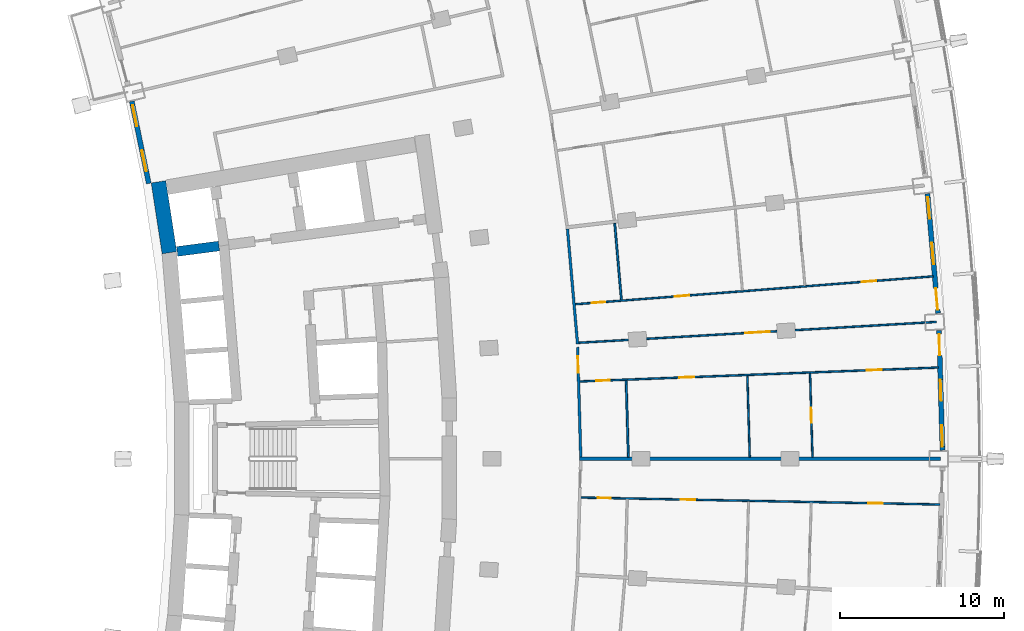
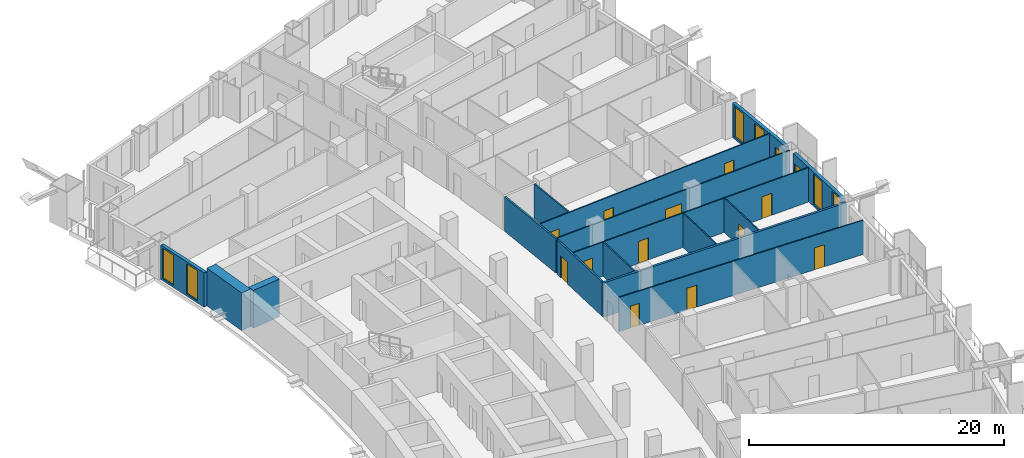
# One storey, part 15 of 22: 16 walls, 14 doors, 6 windows, 20 openings.
"""IFC4 building model written with IfcOpenShell, lengths in metres."""

from ifc_helpers import new_model, si_unit, direction, frame, frame_2d, origin, place, context, subcontext, project, spatial, rectangle, extrude, material, layer, layer_set, type_object, element, fill, save


model = new_model("IFC4")

# Units and contexts
model_context = context("Model", 3, precision=1e-05, world=origin(), true_north=direction((0.0, 1.0)))
body_context = subcontext(model_context, "Body", "Model", "MODEL_VIEW")
ifc_project = project(units=[si_unit("LENGTHUNIT", "METRE"), si_unit("AREAUNIT", "SQUARE_METRE"), si_unit("VOLUMEUNIT", "CUBIC_METRE"), si_unit("PLANEANGLEUNIT", "RADIAN"), si_unit("MASSUNIT", "GRAM", prefix="KILO")], contexts=[model_context])

# Site, building, storey
site_placement = place(None, origin())
site = spatial("IfcSite", under=ifc_project, at=site_placement, CompositionType="ELEMENT")
building_placement = place(site_placement, origin())
building = spatial("IfcBuilding", under=site, at=building_placement, Name="Alderwake Tower", CompositionType="ELEMENT")
storey_placement = place(building_placement, frame((0.0, 0.0, 50.0)))
storey = spatial("IfcBuildingStorey", under=building, at=storey_placement, Name="L11", CompositionType="ELEMENT", Elevation=50.0)

# Walls
ifc_material_1 = material(Name="Concrete C70/85", Category="concrete")
ifc_layer_1 = layer(ifc_material_1, 0.89990234375)
ifc_layer_set_1 = layer_set([ifc_layer_1], Name="Core wall outer 900 C70-85")
wall_type_1 = type_object("IfcWallType", Name="Core wall outer 900 C70-85", PredefinedType="SHEAR", material=ifc_layer_set_1)
wall_1_placement = place(storey_placement, frame((16.1337890625, 73.557373046875, 0.0), z_axis=(0.0, 0.0, 1.0), x_axis=(-0.151956504286, 0.988387181627, 0.0)))
element("IfcWall", 1, at=wall_1_placement, inside=storey, type_object=wall_type_1, Name="Core wall CW.039", PredefinedType="SHEAR", context=body_context, shape_type="SweptSolid", body=[
    extrude(rectangle(XDim=4.373291015625, YDim=0.89990234375, at=frame_2d((2.1865234375, 0.0))), origin(), (0.0, 0.0, 1.0), 3.60009765625),
])
ifc_material_2 = material(Name="Concrete C70/85", Category="concrete")
ifc_layer_2 = layer(ifc_material_2, 0.60009765625)
ifc_layer_set_2 = layer_set([ifc_layer_2], Name="Core wall spine 600 C70-85")
wall_type_2 = type_object("IfcWallType", Name="Core wall spine 600 C70-85", PredefinedType="SHEAR", material=ifc_layer_set_2)
wall_2_placement = place(storey_placement, frame((16.607666015625, 73.635498046875, 0.0), z_axis=(0.0, 0.0, 1.0), x_axis=(0.991551057449, 0.129717001478, 0.0)))
element("IfcWall", 2, at=wall_2_placement, inside=storey, type_object=wall_type_2, Name="Core wall CW.051", PredefinedType="SHEAR", context=body_context, shape_type="SweptSolid", body=[
    extrude(rectangle(XDim=2.569091796875, YDim=0.60009765625, at=frame_2d((1.28466796875, 0.0))), origin(), (0.0, 0.0, 1.0), 3.60009765625),
])
ifc_material_3 = material(Name="Gypsum board on metal studs, rated")
ifc_layer_3 = layer(ifc_material_3, 0.159912109375)
ifc_layer_set_3 = layer_set([ifc_layer_3], Name="Corridor wall 160")
wall_type_3 = type_object("IfcWallType", Name="Corridor wall 160", PredefinedType="PARTITIONING", material=ifc_layer_set_3)
wall_3_placement = place(storey_placement, frame((41.001953125, 67.9873046875, 0.0), z_axis=(0.0, 0.0, 1.0), x_axis=(-0.087430787456, 0.996170596537, 0.0)))
element("IfcWall", 3, at=wall_3_placement, inside=storey, type_object=wall_type_3, Name="WL/L11/W38", PredefinedType="PARTITIONING", context=body_context, shape_type="SweptSolid", body=[
    extrude(rectangle(XDim=7.048095703125, YDim=0.159912109375, at=frame_2d((3.52392578125, 0.0))), origin(), (0.0, 0.0, 1.0), 3.280029296875),
])

# Wall, opening, door
wall_4_placement = place(storey_placement, frame((41.002685546875, 67.80029296875, 0.0), z_axis=(0.0, 0.0, 1.0), x_axis=(0.0288425569, -0.999583966914, 0.0)))
wall_4 = element("IfcWall", 4, at=wall_4_placement, inside=storey, type_object=wall_type_3, Name="WL/L11/W39", PredefinedType="PARTITIONING", context=body_context, shape_type="SweptSolid", body=[
    extrude(rectangle(XDim=6.703857421875, YDim=0.159912109375, at=frame_2d((3.35205078125, 0.0))), origin(), (0.0, 0.0, 1.0), 3.280029296875),
])
opening_1_placement = place(wall_4_placement, frame((0.54541015625, 0.0, 0.0)))
opening_1 = element("IfcOpeningElement", 5, at=opening_1_placement, cuts=wall_4, Name="Opening R02-U08.3", PredefinedType="OPENING", context=body_context, shape_type="SweptSolid", body=[
    extrude(rectangle(XDim=1.0, YDim=2.10009765625, at=frame_2d((0.5, 1.050048828125))), frame((0.0, 0.08984375, 0.0), z_axis=(0.0, -1.0, 0.0), x_axis=(1.0, 0.0, 0.0)), (0.0, 0.0, 1.0), 0.179931640625),
])
ifc_material_4 = material(Name="Solid timber leaf in steel frame", Category="steel")
door_type_1 = type_object("IfcDoorType", Name="Flat entrance door 1000 fire-rated", OperationType="SINGLE_SWING_LEFT", PredefinedType="DOOR", material=ifc_material_4)
door_1_placement = place(opening_1_placement, origin())
door_1 = element("IfcDoor", 6, at=door_1_placement, inside=storey, type_object=door_type_1, Name="DR/L11/U08.3", OperationType="SINGLE_SWING_LEFT", OverallHeight=2.10009765625, OverallWidth=1.0, PredefinedType="DOOR", context=body_context, shape_type="SweptSolid", body=[
    extrude(rectangle(XDim=1.0, YDim=2.10009765625, at=frame_2d((0.5, 1.050048828125))), frame((0.0, 0.02490234375, 0.0), z_axis=(0.0, -1.0, 0.0), x_axis=(1.0, 0.0, 0.0)), (0.0, 0.0, 1.0), 0.050048828125),
])
fill(opening_1, door_1)

# Wall, openings, door, windows
ifc_material_5 = material(Name="Precast concrete C50/60 spandrel panel", Category="concrete")
ifc_layer_4 = layer(ifc_material_5, 0.300048828125)
ifc_layer_set_4 = layer_set([ifc_layer_4], Name="External wall EW1 Precast concrete C50/60 spandrel")
wall_type_4 = type_object("IfcWallType", Name="External wall EW1 Precast concrete C50/60 spandrel", PredefinedType="SOLIDWALL", material=ifc_layer_set_4)
wall_5_placement = place(storey_placement, frame((63.234619140625, 61.5244140625, 0.0), z_axis=(0.0, 0.0, 1.0), x_axis=(-0.029139800133, 0.999575345859, 0.0)))
wall_5 = element("IfcWall", 7, at=wall_5_placement, inside=storey, type_object=wall_type_4, Name="External wall 17", PredefinedType="SOLIDWALL", context=body_context, shape_type="SweptSolid", body=[
    extrude(rectangle(XDim=7.305908203125, YDim=0.300048828125, at=frame_2d((3.65283203125, 0.0))), origin(), (0.0, 0.0, 1.0), 3.280029296875),
])
opening_2_placement = place(wall_5_placement, frame((0.222900390625, 0.0, 0.199951171875)))
opening_2 = element("IfcOpeningElement", 8, at=opening_2_placement, cuts=wall_5, Name="Opening W1", PredefinedType="OPENING", context=body_context, shape_type="SweptSolid", body=[
    extrude(rectangle(XDim=1.300048828125, YDim=2.89990234375, at=frame_2d((0.64990234375, 1.449951171875))), frame((0.0, 0.159912109375, 0.0), z_axis=(0.0, -1.0, 0.0), x_axis=(1.0, 0.0, 0.0)), (0.0, 0.0, 1.0), 0.320068359375),
])
opening_3_placement = place(wall_5_placement, frame((3.0029296875, 0.0, 0.199951171875)))
opening_3 = element("IfcOpeningElement", 9, at=opening_3_placement, cuts=wall_5, Name="Opening W1", PredefinedType="OPENING", context=body_context, shape_type="SweptSolid", body=[
    extrude(rectangle(XDim=1.300048828125, YDim=2.89990234375, at=frame_2d((0.64990234375, 1.449951171875))), frame((0.0, 0.159912109375, 0.0), z_axis=(0.0, -1.0, 0.0), x_axis=(1.0, 0.0, 0.0)), (0.0, 0.0, 1.0), 0.320068359375),
])
opening_4_placement = place(wall_5_placement, frame((5.783203125, 0.0, 0.0)))
opening_4 = element("IfcOpeningElement", 10, at=opening_4_placement, cuts=wall_5, Name="Opening D08", PredefinedType="OPENING", context=body_context, shape_type="SweptSolid", body=[
    extrude(rectangle(XDim=1.300048828125, YDim=2.39990234375, at=frame_2d((0.64990234375, 1.199951171875))), frame((0.0, 0.159912109375, 0.0), z_axis=(0.0, -1.0, 0.0), x_axis=(1.0, 0.0, 0.0)), (0.0, 0.0, 1.0), 0.320068359375),
])
ifc_material_6 = material(Name="Bronze tinted glass in aluminium frame", Category="aluminium")
door_type_2 = type_object("IfcDoorType", Name="Balcony door BD sliding", OperationType="SLIDING_TO_LEFT", PredefinedType="DOOR", material=ifc_material_6)
door_2_placement = place(opening_4_placement, origin())
door_2 = element("IfcDoor", 11, at=door_2_placement, inside=storey, type_object=door_type_2, Name="Door D08", OperationType="SLIDING_TO_LEFT", OverallHeight=2.39990234375, OverallWidth=1.300048828125, PredefinedType="DOOR", context=body_context, shape_type="SweptSolid", body=[
    extrude(rectangle(XDim=1.300048828125, YDim=2.39990234375, at=frame_2d((0.64990234375, 1.199951171875))), frame((0.0, 0.02490234375, 0.0), z_axis=(0.0, -1.0, 0.0), x_axis=(1.0, 0.0, 0.0)), (0.0, 0.0, 1.0), 0.050048828125),
])
fill(opening_4, door_2)
ifc_material_7 = material(Name="Bronze tinted glass in aluminium frame", Category="aluminium")
window_type = type_object("IfcWindowType", Name="Window W1 tall fixed and vent", PartitioningType="DOUBLE_PANEL_VERTICAL", PredefinedType="WINDOW", material=ifc_material_7)
window_1_placement = place(opening_2_placement, origin())
window_1 = element("IfcWindow", 12, at=window_1_placement, inside=storey, type_object=window_type, Name="Window W1 tall fixed and vent", OverallHeight=2.89990234375, OverallWidth=1.300048828125, PartitioningType="DOUBLE_PANEL_VERTICAL", PredefinedType="WINDOW", context=body_context, shape_type="SweptSolid", body=[
    extrude(rectangle(XDim=1.300048828125, YDim=2.89990234375, at=frame_2d((0.64990234375, 1.449951171875))), frame((0.0, 0.030029296875, 0.0), z_axis=(0.0, -1.0, 0.0), x_axis=(1.0, 0.0, 0.0)), (0.0, 0.0, 1.0), 0.06005859375),
])
fill(opening_2, window_1)
window_2_placement = place(opening_3_placement, origin())
window_2 = element("IfcWindow", 13, at=window_2_placement, inside=storey, type_object=window_type, Name="Window W1 tall fixed and vent", OverallHeight=2.89990234375, OverallWidth=1.300048828125, PartitioningType="DOUBLE_PANEL_VERTICAL", PredefinedType="WINDOW", context=body_context, shape_type="SweptSolid", body=[
    extrude(rectangle(XDim=1.300048828125, YDim=2.89990234375, at=frame_2d((0.64990234375, 1.449951171875))), frame((0.0, 0.030029296875, 0.0), z_axis=(0.0, -1.0, 0.0), x_axis=(1.0, 0.0, 0.0)), (0.0, 0.0, 1.0), 0.06005859375),
])
fill(opening_3, window_2)

wall_6_placement = place(storey_placement, frame((62.96044921875, 69.8740234375, 0.0), z_axis=(0.0, 0.0, 1.0), x_axis=(-0.087383747715, 0.996174723949, 0.0)))
wall_6 = element("IfcWall", 14, at=wall_6_placement, inside=storey, type_object=wall_type_4, Name="External wall 18", PredefinedType="SOLIDWALL", context=body_context, shape_type="SweptSolid", body=[
    extrude(rectangle(XDim=7.305908203125, YDim=0.300048828125, at=frame_2d((3.65283203125, 0.0))), origin(), (0.0, 0.0, 1.0), 3.280029296875),
])
opening_5_placement = place(wall_6_placement, frame((0.222900390625, 0.0, 0.0)))
opening_5 = element("IfcOpeningElement", 15, at=opening_5_placement, cuts=wall_6, Name="Opening D09", PredefinedType="OPENING", context=body_context, shape_type="SweptSolid", body=[
    extrude(rectangle(XDim=1.300048828125, YDim=2.39990234375, at=frame_2d((0.64990234375, 1.199951171875))), frame((0.0, 0.159912109375, 0.0), z_axis=(0.0, -1.0, 0.0), x_axis=(1.0, 0.0, 0.0)), (0.0, 0.0, 1.0), 0.320068359375),
])
opening_6_placement = place(wall_6_placement, frame((3.0029296875, 0.0, 0.199951171875)))
opening_6 = element("IfcOpeningElement", 16, at=opening_6_placement, cuts=wall_6, Name="Opening W1", PredefinedType="OPENING", context=body_context, shape_type="SweptSolid", body=[
    extrude(rectangle(XDim=1.300048828125, YDim=2.89990234375, at=frame_2d((0.64990234375, 1.449951171875))), frame((0.0, 0.159912109375, 0.0), z_axis=(0.0, -1.0, 0.0), x_axis=(1.0, 0.0, 0.0)), (0.0, 0.0, 1.0), 0.320068359375),
])
opening_7_placement = place(wall_6_placement, frame((5.783203125, 0.0, 0.199951171875)))
opening_7 = element("IfcOpeningElement", 17, at=opening_7_placement, cuts=wall_6, Name="Opening W1", PredefinedType="OPENING", context=body_context, shape_type="SweptSolid", body=[
    extrude(rectangle(XDim=1.300048828125, YDim=2.89990234375, at=frame_2d((0.64990234375, 1.449951171875))), frame((0.0, 0.159912109375, 0.0), z_axis=(0.0, -1.0, 0.0), x_axis=(1.0, 0.0, 0.0)), (0.0, 0.0, 1.0), 0.320068359375),
])
door_3_placement = place(opening_5_placement, origin())
door_3 = element("IfcDoor", 18, at=door_3_placement, inside=storey, type_object=door_type_2, Name="Door D09", OperationType="SLIDING_TO_LEFT", OverallHeight=2.39990234375, OverallWidth=1.300048828125, PredefinedType="DOOR", context=body_context, shape_type="SweptSolid", body=[
    extrude(rectangle(XDim=1.300048828125, YDim=2.39990234375, at=frame_2d((0.64990234375, 1.199951171875))), frame((0.0, 0.02490234375, 0.0), z_axis=(0.0, -1.0, 0.0), x_axis=(1.0, 0.0, 0.0)), (0.0, 0.0, 1.0), 0.050048828125),
])
fill(opening_5, door_3)
window_3_placement = place(opening_6_placement, origin())
window_3 = element("IfcWindow", 19, at=window_3_placement, inside=storey, type_object=window_type, Name="Window W1 tall fixed and vent", OverallHeight=2.89990234375, OverallWidth=1.300048828125, PartitioningType="DOUBLE_PANEL_VERTICAL", PredefinedType="WINDOW", context=body_context, shape_type="SweptSolid", body=[
    extrude(rectangle(XDim=1.300048828125, YDim=2.89990234375, at=frame_2d((0.64990234375, 1.449951171875))), frame((0.0, 0.030029296875, 0.0), z_axis=(0.0, -1.0, 0.0), x_axis=(1.0, 0.0, 0.0)), (0.0, 0.0, 1.0), 0.06005859375),
])
fill(opening_6, window_3)
window_4_placement = place(opening_7_placement, origin())
window_4 = element("IfcWindow", 20, at=window_4_placement, inside=storey, type_object=window_type, Name="Window W1 tall fixed and vent", OverallHeight=2.89990234375, OverallWidth=1.300048828125, PartitioningType="DOUBLE_PANEL_VERTICAL", PredefinedType="WINDOW", context=body_context, shape_type="SweptSolid", body=[
    extrude(rectangle(XDim=1.300048828125, YDim=2.89990234375, at=frame_2d((0.64990234375, 1.449951171875))), frame((0.0, 0.030029296875, 0.0), z_axis=(0.0, -1.0, 0.0), x_axis=(1.0, 0.0, 0.0)), (0.0, 0.0, 1.0), 0.06005859375),
])
fill(opening_7, window_4)

# Wall, openings, windows
wall_7_placement = place(storey_placement, frame((13.842529296875, 82.77880859375, 0.0), z_axis=(0.0, 0.0, 1.0), x_axis=(0.202738354746, -0.979232944459, 0.0)))
wall_7 = element("IfcWall", 21, at=wall_7_placement, inside=storey, type_object=wall_type_4, Name="External wall 34", PredefinedType="SOLIDWALL", context=body_context, shape_type="SweptSolid", body=[
    extrude(rectangle(XDim=5.1083984375, YDim=0.300048828125, at=frame_2d((2.55419921875, 0.0))), origin(), (0.0, 0.0, 1.0), 3.280029296875),
])
opening_8_placement = place(wall_7_placement, frame((0.239013671875, 0.0, 0.199951171875)))
opening_8 = element("IfcOpeningElement", 22, at=opening_8_placement, cuts=wall_7, Name="Opening W1", PredefinedType="OPENING", context=body_context, shape_type="SweptSolid", body=[
    extrude(rectangle(XDim=1.300048828125, YDim=2.89990234375, at=frame_2d((0.64990234375, 1.449951171875))), frame((0.0, 0.159912109375, 0.0), z_axis=(0.0, -1.0, 0.0), x_axis=(1.0, 0.0, 0.0)), (0.0, 0.0, 1.0), 0.320068359375),
])
opening_9_placement = place(wall_7_placement, frame((3.0517578125, 0.0, 0.199951171875)))
opening_9 = element("IfcOpeningElement", 23, at=opening_9_placement, cuts=wall_7, Name="Opening W1", PredefinedType="OPENING", context=body_context, shape_type="SweptSolid", body=[
    extrude(rectangle(XDim=1.300048828125, YDim=2.89990234375, at=frame_2d((0.64990234375, 1.449951171875))), frame((0.0, 0.159912109375, 0.0), z_axis=(0.0, -1.0, 0.0), x_axis=(1.0, 0.0, 0.0)), (0.0, 0.0, 1.0), 0.320068359375),
])
window_5_placement = place(opening_8_placement, origin())
window_5 = element("IfcWindow", 24, at=window_5_placement, inside=storey, type_object=window_type, Name="Window W1 tall fixed and vent", OverallHeight=2.89990234375, OverallWidth=1.300048828125, PartitioningType="DOUBLE_PANEL_VERTICAL", PredefinedType="WINDOW", context=body_context, shape_type="SweptSolid", body=[
    extrude(rectangle(XDim=1.300048828125, YDim=2.89990234375, at=frame_2d((0.64990234375, 1.449951171875))), frame((0.0, 0.030029296875, 0.0), z_axis=(0.0, -1.0, 0.0), x_axis=(1.0, 0.0, 0.0)), (0.0, 0.0, 1.0), 0.06005859375),
])
fill(opening_8, window_5)
window_6_placement = place(opening_9_placement, origin())
window_6 = element("IfcWindow", 25, at=window_6_placement, inside=storey, type_object=window_type, Name="Window W1 tall fixed and vent", OverallHeight=2.89990234375, OverallWidth=1.300048828125, PartitioningType="DOUBLE_PANEL_VERTICAL", PredefinedType="WINDOW", context=body_context, shape_type="SweptSolid", body=[
    extrude(rectangle(XDim=1.300048828125, YDim=2.89990234375, at=frame_2d((0.64990234375, 1.449951171875))), frame((0.0, 0.030029296875, 0.0), z_axis=(0.0, -1.0, 0.0), x_axis=(1.0, 0.0, 0.0)), (0.0, 0.0, 1.0), 0.06005859375),
])
fill(opening_9, window_6)

# Wall
ifc_material_8 = material(Name="Dense block masonry wall", Category="masonry")
ifc_layer_5 = layer(ifc_material_8, 0.199951171875)
ifc_layer_set_5 = layer_set([ifc_layer_5], Name="Party wall 200")
wall_type_5 = type_object("IfcWallType", Name="Party wall 200", PredefinedType="SOLIDWALL", material=ifc_layer_set_5)
wall_8_placement = place(storey_placement, frame((63.09912109375, 60.9990234375, 0.0), z_axis=(0.0, 0.0, 1.0), x_axis=(-1.0, 0.0, 0.0)))
element("IfcWall", 26, at=wall_8_placement, inside=storey, type_object=wall_type_5, Name="WL/L11/W11", PredefinedType="SOLIDWALL", context=body_context, shape_type="SweptSolid", body=[
    extrude(rectangle(XDim=21.980224609375, YDim=0.199951171875, at=frame_2d((10.990234375, 0.0))), origin(), (0.0, 0.0, 1.0), 3.280029296875),
])

# Wall, openings, doors
ifc_material_9 = material(Name="Gypsum board on metal studs")
ifc_layer_6 = layer(ifc_material_9, 0.10009765625)
ifc_layer_set_6 = layer_set([ifc_layer_6], Name="Unit partition 100")
wall_type_6 = type_object("IfcWallType", Name="Unit partition 100", PredefinedType="PARTITIONING", material=ifc_layer_set_6)
wall_9_placement = place(storey_placement, frame((40.867919921875, 70.419189453125, 0.0), z_axis=(0.0, 0.0, 1.0), x_axis=(0.996980121619, 0.077657176717, 0.0)))
wall_9 = element("IfcWall", 27, at=wall_9_placement, inside=storey, type_object=wall_type_6, Name="WL/L11/W70", PredefinedType="PARTITIONING", context=body_context, shape_type="SweptSolid", body=[
    extrude(rectangle(XDim=21.862060546875, YDim=0.10009765625, at=frame_2d((10.93115234375, 0.0))), origin(), (0.0, 0.0, 1.0), 3.280029296875),
])
opening_10_placement = place(wall_9_placement, frame((6.064697265625, 0.0, 0.0)))
opening_10 = element("IfcOpeningElement", 28, at=opening_10_placement, cuts=wall_9, Name="Opening R02-U08.6", PredefinedType="OPENING", context=body_context, shape_type="SweptSolid", body=[
    extrude(rectangle(XDim=0.89990234375, YDim=2.10009765625, at=frame_2d((0.449951171875, 1.050048828125))), frame((0.0, 0.06005859375, 0.0), z_axis=(0.0, -1.0, 0.0), x_axis=(1.0, 0.0, 0.0)), (0.0, 0.0, 1.0), 0.1201171875),
])
opening_11_placement = place(wall_9_placement, frame((1.009521484375, 0.0, 0.0)))
opening_11 = element("IfcOpeningElement", 29, at=opening_11_placement, cuts=wall_9, Name="Opening R02-U08.7", PredefinedType="OPENING", context=body_context, shape_type="SweptSolid", body=[
    extrude(rectangle(XDim=0.800048828125, YDim=2.10009765625, at=frame_2d((0.39990234375, 1.050048828125))), frame((0.0, 0.06005859375, 0.0), z_axis=(0.0, -1.0, 0.0), x_axis=(1.0, 0.0, 0.0)), (0.0, 0.0, 1.0), 0.1201171875),
])
opening_12_placement = place(wall_9_placement, frame((17.496826171875, 0.0, 0.0)))
opening_12 = element("IfcOpeningElement", 30, at=opening_12_placement, cuts=wall_9, Name="Opening R02-U08.8", PredefinedType="OPENING", context=body_context, shape_type="SweptSolid", body=[
    extrude(rectangle(XDim=0.89990234375, YDim=2.10009765625, at=frame_2d((0.449951171875, 1.050048828125))), frame((0.0, 0.06005859375, 0.0), z_axis=(0.0, -1.0, 0.0), x_axis=(1.0, 0.0, 0.0)), (0.0, 0.0, 1.0), 0.1201171875),
])
ifc_material_10 = material(Name="Painted timber leaf", Category="wood")
door_type_3 = type_object("IfcDoorType", Name="Bathroom door 800", OperationType="SINGLE_SWING_LEFT", PredefinedType="DOOR", material=ifc_material_10)
door_4_placement = place(opening_11_placement, origin())
door_4 = element("IfcDoor", 31, at=door_4_placement, inside=storey, type_object=door_type_3, Name="DR/L11/U08.7", OperationType="SINGLE_SWING_LEFT", OverallHeight=2.10009765625, OverallWidth=0.800048828125, PredefinedType="DOOR", context=body_context, shape_type="SweptSolid", body=[
    extrude(rectangle(XDim=0.800048828125, YDim=2.10009765625, at=frame_2d((0.39990234375, 1.050048828125))), frame((0.0, 0.02490234375, 0.0), z_axis=(0.0, -1.0, 0.0), x_axis=(1.0, 0.0, 0.0)), (0.0, 0.0, 1.0), 0.050048828125),
])
fill(opening_11, door_4)
ifc_material_11 = material(Name="Painted timber leaf", Category="wood")
door_type_4 = type_object("IfcDoorType", Name="Room door 900", OperationType="SINGLE_SWING_LEFT", PredefinedType="DOOR", material=ifc_material_11)
door_5_placement = place(opening_10_placement, origin())
door_5 = element("IfcDoor", 32, at=door_5_placement, inside=storey, type_object=door_type_4, Name="DR/L11/U08.6", OperationType="SINGLE_SWING_LEFT", OverallHeight=2.10009765625, OverallWidth=0.89990234375, PredefinedType="DOOR", context=body_context, shape_type="SweptSolid", body=[
    extrude(rectangle(XDim=0.89990234375, YDim=2.10009765625, at=frame_2d((0.449951171875, 1.050048828125))), frame((0.0, 0.02490234375, 0.0), z_axis=(0.0, -1.0, 0.0), x_axis=(1.0, 0.0, 0.0)), (0.0, 0.0, 1.0), 0.050048828125),
])
fill(opening_10, door_5)
door_6_placement = place(opening_12_placement, origin())
door_6 = element("IfcDoor", 33, at=door_6_placement, inside=storey, type_object=door_type_4, Name="DR/L11/U08.8", OperationType="SINGLE_SWING_LEFT", OverallHeight=2.10009765625, OverallWidth=0.89990234375, PredefinedType="DOOR", context=body_context, shape_type="SweptSolid", body=[
    extrude(rectangle(XDim=0.89990234375, YDim=2.10009765625, at=frame_2d((0.449951171875, 1.050048828125))), frame((0.0, 0.02490234375, 0.0), z_axis=(0.0, -1.0, 0.0), x_axis=(1.0, 0.0, 0.0)), (0.0, 0.0, 1.0), 0.050048828125),
])
fill(opening_12, door_6)

wall_10_placement = place(storey_placement, frame((62.988037109375, 66.56396484375, 0.0), z_axis=(0.0, 0.0, 1.0), x_axis=(-0.999245786786, -0.038831142015, 0.0)))
wall_10 = element("IfcWall", 34, at=wall_10_placement, inside=storey, type_object=wall_type_6, Name="WL/L11/W71", PredefinedType="PARTITIONING", context=body_context, shape_type="SweptSolid", body=[
    extrude(rectangle(XDim=21.86083984375, YDim=0.10009765625, at=frame_2d((10.930419921875, 0.0))), origin(), (0.0, 0.0, 1.0), 3.280029296875),
])
opening_13_placement = place(wall_10_placement, frame((14.8974609375, 0.0, 0.0)))
opening_13 = element("IfcOpeningElement", 35, at=opening_13_placement, cuts=wall_10, Name="Opening R02-U08.1", PredefinedType="OPENING", context=body_context, shape_type="SweptSolid", body=[
    extrude(rectangle(XDim=0.89990234375, YDim=2.10009765625, at=frame_2d((0.449951171875, 1.050048828125))), frame((0.0, 0.06005859375, 0.0), z_axis=(0.0, -1.0, 0.0), x_axis=(1.0, 0.0, 0.0)), (0.0, 0.0, 1.0), 0.1201171875),
])
opening_14_placement = place(wall_10_placement, frame((20.0517578125, 0.0, 0.0)))
opening_14 = element("IfcOpeningElement", 36, at=opening_14_placement, cuts=wall_10, Name="Opening R02-U08.4", PredefinedType="OPENING", context=body_context, shape_type="SweptSolid", body=[
    extrude(rectangle(XDim=0.800048828125, YDim=2.10009765625, at=frame_2d((0.39990234375, 1.050048828125))), frame((0.0, 0.06005859375, 0.0), z_axis=(0.0, -1.0, 0.0), x_axis=(1.0, 0.0, 0.0)), (0.0, 0.0, 1.0), 0.1201171875),
])
opening_15_placement = place(wall_10_placement, frame((3.46533203125, 0.0, 0.0)))
opening_15 = element("IfcOpeningElement", 37, at=opening_15_placement, cuts=wall_10, Name="Opening R02-U08.5", PredefinedType="OPENING", context=body_context, shape_type="SweptSolid", body=[
    extrude(rectangle(XDim=0.89990234375, YDim=2.10009765625, at=frame_2d((0.449951171875, 1.050048828125))), frame((0.0, 0.06005859375, 0.0), z_axis=(0.0, -1.0, 0.0), x_axis=(1.0, 0.0, 0.0)), (0.0, 0.0, 1.0), 0.1201171875),
])
door_7_placement = place(opening_14_placement, origin())
door_7 = element("IfcDoor", 38, at=door_7_placement, inside=storey, type_object=door_type_3, Name="DR/L11/U08.4", OperationType="SINGLE_SWING_LEFT", OverallHeight=2.10009765625, OverallWidth=0.800048828125, PredefinedType="DOOR", context=body_context, shape_type="SweptSolid", body=[
    extrude(rectangle(XDim=0.800048828125, YDim=2.10009765625, at=frame_2d((0.39990234375, 1.050048828125))), frame((0.0, 0.02490234375, 0.0), z_axis=(0.0, -1.0, 0.0), x_axis=(1.0, 0.0, 0.0)), (0.0, 0.0, 1.0), 0.050048828125),
])
fill(opening_14, door_7)
door_8_placement = place(opening_13_placement, origin())
door_8 = element("IfcDoor", 39, at=door_8_placement, inside=storey, type_object=door_type_4, Name="DR/L11/U08.1", OperationType="SINGLE_SWING_LEFT", OverallHeight=2.10009765625, OverallWidth=0.89990234375, PredefinedType="DOOR", context=body_context, shape_type="SweptSolid", body=[
    extrude(rectangle(XDim=0.89990234375, YDim=2.10009765625, at=frame_2d((0.449951171875, 1.050048828125))), frame((0.0, 0.02490234375, 0.0), z_axis=(0.0, -1.0, 0.0), x_axis=(1.0, 0.0, 0.0)), (0.0, 0.0, 1.0), 0.050048828125),
])
fill(opening_13, door_8)
door_9_placement = place(opening_15_placement, origin())
door_9 = element("IfcDoor", 40, at=door_9_placement, inside=storey, type_object=door_type_4, Name="DR/L11/U08.5", OperationType="SINGLE_SWING_LEFT", OverallHeight=2.10009765625, OverallWidth=0.89990234375, PredefinedType="DOOR", context=body_context, shape_type="SweptSolid", body=[
    extrude(rectangle(XDim=0.89990234375, YDim=2.10009765625, at=frame_2d((0.449951171875, 1.050048828125))), frame((0.0, 0.02490234375, 0.0), z_axis=(0.0, -1.0, 0.0), x_axis=(1.0, 0.0, 0.0)), (0.0, 0.0, 1.0), 0.050048828125),
])
fill(opening_15, door_9)

wall_11_placement = place(storey_placement, frame((63.069091796875, 58.218017578125, 0.0), z_axis=(0.0, 0.0, 1.0), x_axis=(-0.999811651936, 0.019407747262, 0.0)))
wall_11 = element("IfcWall", 41, at=wall_11_placement, inside=storey, type_object=wall_type_6, Name="WL/L11/W72", PredefinedType="PARTITIONING", context=body_context, shape_type="SweptSolid", body=[
    extrude(rectangle(XDim=21.86328125, YDim=0.10009765625, at=frame_2d((10.931640625, 0.0))), origin(), (0.0, 0.0, 1.0), 3.280029296875),
])
opening_16_placement = place(wall_11_placement, frame((14.897216796875, 0.0, 0.0)))
opening_16 = element("IfcOpeningElement", 42, at=opening_16_placement, cuts=wall_11, Name="Opening R02-U07.1", PredefinedType="OPENING", context=body_context, shape_type="SweptSolid", body=[
    extrude(rectangle(XDim=0.89990234375, YDim=2.10009765625, at=frame_2d((0.449951171875, 1.050048828125))), frame((0.0, 0.06005859375, 0.0), z_axis=(0.0, -1.0, 0.0), x_axis=(1.0, 0.0, 0.0)), (0.0, 0.0, 1.0), 0.1201171875),
])
opening_17_placement = place(wall_11_placement, frame((20.052978515625, 0.0, 0.0)))
opening_17 = element("IfcOpeningElement", 43, at=opening_17_placement, cuts=wall_11, Name="Opening R02-U07.4", PredefinedType="OPENING", context=body_context, shape_type="SweptSolid", body=[
    extrude(rectangle(XDim=0.800048828125, YDim=2.10009765625, at=frame_2d((0.39990234375, 1.050048828125))), frame((0.0, 0.06005859375, 0.0), z_axis=(0.0, -1.0, 0.0), x_axis=(1.0, 0.0, 0.0)), (0.0, 0.0, 1.0), 0.1201171875),
])
opening_18_placement = place(wall_11_placement, frame((3.46533203125, 0.0, 0.0)))
opening_18 = element("IfcOpeningElement", 44, at=opening_18_placement, cuts=wall_11, Name="Opening R02-U07.5", PredefinedType="OPENING", context=body_context, shape_type="SweptSolid", body=[
    extrude(rectangle(XDim=0.89990234375, YDim=2.10009765625, at=frame_2d((0.449951171875, 1.050048828125))), frame((0.0, 0.06005859375, 0.0), z_axis=(0.0, -1.0, 0.0), x_axis=(1.0, 0.0, 0.0)), (0.0, 0.0, 1.0), 0.1201171875),
])
door_10_placement = place(opening_17_placement, origin())
door_10 = element("IfcDoor", 45, at=door_10_placement, inside=storey, type_object=door_type_3, Name="DR/L11/U07.4", OperationType="SINGLE_SWING_LEFT", OverallHeight=2.10009765625, OverallWidth=0.800048828125, PredefinedType="DOOR", context=body_context, shape_type="SweptSolid", body=[
    extrude(rectangle(XDim=0.800048828125, YDim=2.10009765625, at=frame_2d((0.39990234375, 1.050048828125))), frame((0.0, 0.02490234375, 0.0), z_axis=(0.0, -1.0, 0.0), x_axis=(1.0, 0.0, 0.0)), (0.0, 0.0, 1.0), 0.050048828125),
])
fill(opening_17, door_10)
door_11_placement = place(opening_16_placement, origin())
door_11 = element("IfcDoor", 46, at=door_11_placement, inside=storey, type_object=door_type_4, Name="DR/L11/U07.1", OperationType="SINGLE_SWING_LEFT", OverallHeight=2.10009765625, OverallWidth=0.89990234375, PredefinedType="DOOR", context=body_context, shape_type="SweptSolid", body=[
    extrude(rectangle(XDim=0.89990234375, YDim=2.10009765625, at=frame_2d((0.449951171875, 1.050048828125))), frame((0.0, 0.02490234375, 0.0), z_axis=(0.0, -1.0, 0.0), x_axis=(1.0, 0.0, 0.0)), (0.0, 0.0, 1.0), 0.050048828125),
])
fill(opening_16, door_11)
door_12_placement = place(opening_18_placement, origin())
door_12 = element("IfcDoor", 47, at=door_12_placement, inside=storey, type_object=door_type_4, Name="DR/L11/U07.5", OperationType="SINGLE_SWING_LEFT", OverallHeight=2.10009765625, OverallWidth=0.89990234375, PredefinedType="DOOR", context=body_context, shape_type="SweptSolid", body=[
    extrude(rectangle(XDim=0.89990234375, YDim=2.10009765625, at=frame_2d((0.449951171875, 1.050048828125))), frame((0.0, 0.02490234375, 0.0), z_axis=(0.0, -1.0, 0.0), x_axis=(1.0, 0.0, 0.0)), (0.0, 0.0, 1.0), 0.050048828125),
])
fill(opening_18, door_12)

# Wall
wall_12_placement = place(storey_placement, frame((51.4921875, 61.09912109375, 0.0), z_axis=(0.0, 0.0, 1.0), x_axis=(-0.029361474552, 0.999568858965, 0.0)))
element("IfcWall", 48, at=wall_12_placement, inside=storey, type_object=wall_type_6, Name="WL/L11/W84", PredefinedType="PARTITIONING", context=body_context, shape_type="SweptSolid", body=[
    extrude(rectangle(XDim=4.964111328125, YDim=0.10009765625, at=frame_2d((2.48193359375, 0.0))), origin(), (0.0, 0.0, 1.0), 3.280029296875),
])

# Wall, opening, door
wall_13_placement = place(storey_placement, frame((55.314208984375, 61.09912109375, 0.0), z_axis=(0.0, 0.0, 1.0), x_axis=(-0.029090235345, 0.99957678955, 0.0)))
wall_13 = element("IfcWall", 49, at=wall_13_placement, inside=storey, type_object=wall_type_6, Name="WL/L11/W92", PredefinedType="PARTITIONING", context=body_context, shape_type="SweptSolid", body=[
    extrude(rectangle(XDim=5.111083984375, YDim=0.10009765625, at=frame_2d((2.5556640625, 0.0))), origin(), (0.0, 0.0, 1.0), 3.280029296875),
])
opening_19_placement = place(wall_13_placement, frame((2.105712890625, 0.0, 0.0)))
opening_19 = element("IfcOpeningElement", 50, at=opening_19_placement, cuts=wall_13, Name="Opening R02-U08.2", PredefinedType="OPENING", context=body_context, shape_type="SweptSolid", body=[
    extrude(rectangle(XDim=0.89990234375, YDim=2.10009765625, at=frame_2d((0.449951171875, 1.050048828125))), frame((0.0, 0.06005859375, 0.0), z_axis=(0.0, -1.0, 0.0), x_axis=(1.0, 0.0, 0.0)), (0.0, 0.0, 1.0), 0.1201171875),
])
door_13_placement = place(opening_19_placement, origin())
door_13 = element("IfcDoor", 51, at=door_13_placement, inside=storey, type_object=door_type_4, Name="DR/L11/U08.2", OperationType="SINGLE_SWING_LEFT", OverallHeight=2.10009765625, OverallWidth=0.89990234375, PredefinedType="DOOR", context=body_context, shape_type="SweptSolid", body=[
    extrude(rectangle(XDim=0.89990234375, YDim=2.10009765625, at=frame_2d((0.449951171875, 1.050048828125))), frame((0.0, 0.02490234375, 0.0), z_axis=(0.0, -1.0, 0.0), x_axis=(1.0, 0.0, 0.0)), (0.0, 0.0, 1.0), 0.050048828125),
])
fill(opening_19, door_13)

wall_14_placement = place(storey_placement, frame((41.074951171875, 68.07177734375, 0.0), z_axis=(0.0, 0.0, 1.0), x_axis=(0.998303726886, 0.058220862983, 0.0)))
wall_14 = element("IfcWall", 52, at=wall_14_placement, inside=storey, type_object=wall_type_6, Name="WL/L11/W93", PredefinedType="PARTITIONING", context=body_context, shape_type="SweptSolid", body=[
    extrude(rectangle(XDim=21.818115234375, YDim=0.10009765625, at=frame_2d((10.9091796875, 0.0))), origin(), (0.0, 0.0, 1.0), 3.280029296875),
])
opening_20_placement = place(wall_14_placement, frame((10.1591796875, 0.0, 0.0)))
opening_20 = element("IfcOpeningElement", 53, at=opening_20_placement, cuts=wall_14, Name="Opening R02-U08.10", PredefinedType="OPENING", context=body_context, shape_type="SweptSolid", body=[
    extrude(rectangle(XDim=1.5, YDim=2.10009765625, at=frame_2d((0.75, 1.050048828125))), frame((0.0, 0.06005859375, 0.0), z_axis=(0.0, -1.0, 0.0), x_axis=(1.0, 0.0, 0.0)), (0.0, 0.0, 1.0), 0.1201171875),
])
ifc_material_12 = material(Name="Painted timber leaves", Category="wood")
door_type_5 = type_object("IfcDoorType", Name="Double leaf door 1500", OperationType="DOUBLE_DOOR_SINGLE_SWING", PredefinedType="DOOR", material=ifc_material_12)
door_14_placement = place(opening_20_placement, origin())
door_14 = element("IfcDoor", 54, at=door_14_placement, inside=storey, type_object=door_type_5, Name="DR/L11/U08.10", OperationType="DOUBLE_DOOR_SINGLE_SWING", OverallHeight=2.10009765625, OverallWidth=1.5, PredefinedType="DOOR", context=body_context, shape_type="SweptSolid", body=[
    extrude(rectangle(XDim=1.5, YDim=2.10009765625, at=frame_2d((0.75, 1.050048828125))), frame((0.0, 0.02490234375, 0.0), z_axis=(0.0, -1.0, 0.0), x_axis=(1.0, 0.0, 0.0)), (0.0, 0.0, 1.0), 0.050048828125),
])
fill(opening_20, door_14)

# Walls
ifc_material_13 = material(Name="Moisture resistant gypsum board on metal studs")
ifc_layer_7 = layer(ifc_material_13, 0.1201171875)
ifc_layer_set_7 = layer_set([ifc_layer_7], Name="Wet room partition 120")
wall_type_7 = type_object("IfcWallType", Name="Wet room partition 120", PredefinedType="PARTITIONING", material=ifc_layer_set_7)
wall_15_placement = place(storey_placement, frame((43.672607421875, 70.687744140625, 0.0), z_axis=(0.0, 0.0, 1.0), x_axis=(-0.087010256841, 0.996207415755, 0.0)))
element("IfcWall", 55, at=wall_15_placement, inside=storey, type_object=wall_type_7, Name="WL/L11/W56", PredefinedType="PARTITIONING", context=body_context, shape_type="SweptSolid", body=[
    extrude(rectangle(XDim=4.677490234375, YDim=0.1201171875, at=frame_2d((2.3388671875, 0.0))), origin(), (0.0, 0.0, 1.0), 3.280029296875),
])
wall_16_placement = place(storey_placement, frame((44.09716796875, 61.09912109375, 0.0), z_axis=(0.0, 0.0, 1.0), x_axis=(-0.029239477833, 0.999572435062, 0.0)))
element("IfcWall", 56, at=wall_16_placement, inside=storey, type_object=wall_type_7, Name="WL/L11/W58", PredefinedType="PARTITIONING", context=body_context, shape_type="SweptSolid", body=[
    extrude(rectangle(XDim=4.67578125, YDim=0.1201171875, at=frame_2d((2.337890625, 0.0))), origin(), (0.0, 0.0, 1.0), 3.280029296875),
])

save(model, "model.ifc")
